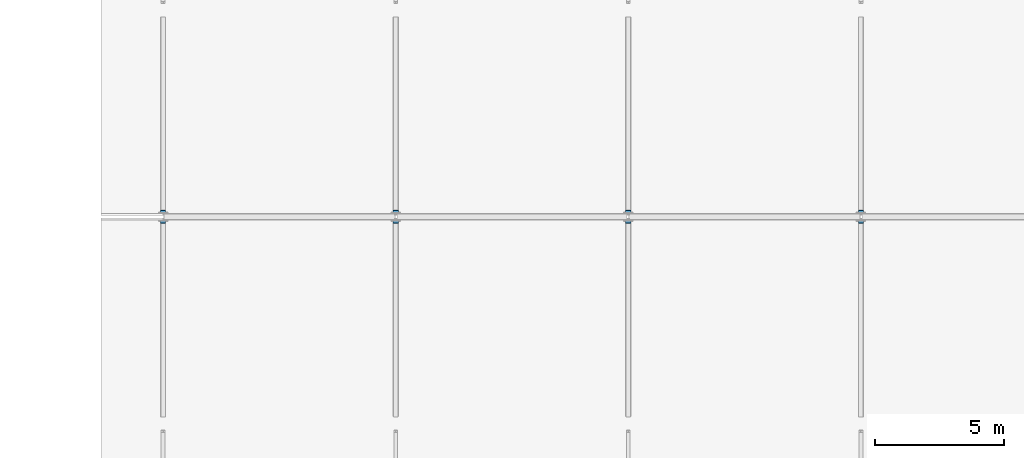
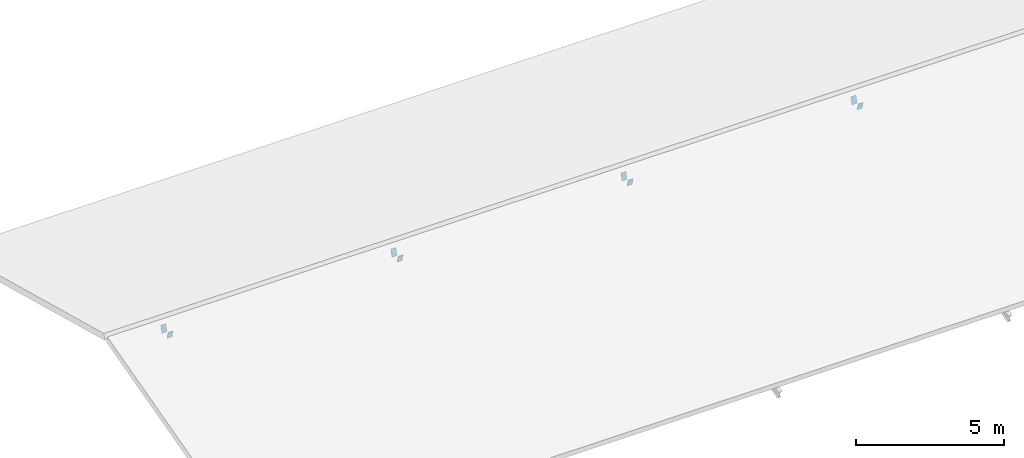
# One storey, part 65 of 71: 8 discrete accessories.
"""IFC4 building model written with IfcOpenShell, lengths in metres."""

from ifc_helpers import new_model, si_unit, derived_unit, direction, frame, origin, origin_2d, place, context, subcontext, project, spatial, rectangle, extrude, material, type_object, element, save


model = new_model("IFC4")

# Units and contexts
model_context = context("Model", 3, precision=1e-05, world=origin(), true_north=direction((0.0, 1.0)))
body_context = subcontext(model_context, "Body", "Model", "MODEL_VIEW")
ifc_project = project(units=[si_unit("LENGTHUNIT", "METRE"), si_unit("AREAUNIT", "SQUARE_METRE"), si_unit("VOLUMEUNIT", "CUBIC_METRE"), si_unit("PLANEANGLEUNIT", "RADIAN"), si_unit("MASSUNIT", "GRAM", prefix="KILO"), derived_unit("THERMALTRANSMITTANCEUNIT", [(si_unit("MASSUNIT", "GRAM", prefix="KILO"), 1), (si_unit("TIMEUNIT", "SECOND"), -3), (si_unit("THERMODYNAMICTEMPERATUREUNIT", "KELVIN"), -1)])], contexts=[model_context])

# Site, building, storey
site_placement = place(None, origin())
site = spatial("IfcSite", under=ifc_project, at=site_placement, CompositionType="ELEMENT")
building_placement = place(site_placement, origin())
building = spatial("IfcBuilding", under=site, at=building_placement, Name="Zhenchuan Archway Interchange", CompositionType="ELEMENT")
storey_placement = place(building_placement, frame((0.0, 0.0, 18.60009765625)))
storey = spatial("IfcBuildingStorey", under=building, at=storey_placement, Name="L04", CompositionType="ELEMENT", Elevation=18.60009765625)

# Discrete accessories
ifc_material = material(Name="Steel Q355", Category="steel")
discrete_accessory_type = type_object("IfcDiscreteAccessoryType", Name="CAP_MB_RHS300", PredefinedType="USERDEFINED", material=ifc_material)
for number, where, z_axis, x_axis, name in (
    (1, (108.0, 95.780029296875, 1.85986328125), (0.0, 0.964763821238, 0.263117405792), (-1.0, 0.0, 0.0), "End plate at the end of Courtyard N-arm rafter X108-1"),
    (2, (108.0, 96.19580078125, 1.866455078125), (0.0, 0.964763821238, -0.263117405792), (-1.0, 0.0, 0.0), "End plate at the start of Courtyard N-arm rafter X108-2"),
    (3, (117.0, 95.780029296875, 1.85986328125), (0.0, 0.964763821238, 0.263117405792), (-1.0, 0.0, 0.0), "End plate at the end of Courtyard N-arm rafter X117-1"),
    (4, (117.0, 96.19580078125, 1.866455078125), (0.0, 0.964763821238, -0.263117405792), (-1.0, 0.0, 0.0), "End plate at the start of Courtyard N-arm rafter X117-2"),
    (5, (126.0, 95.780029296875, 1.85986328125), (0.0, 0.964763821238, 0.263117405792), (-1.0, 0.0, 0.0), "End plate at the end of Courtyard N-arm rafter X126-1"),
    (6, (126.0, 96.19580078125, 1.866455078125), (0.0, 0.964763821238, -0.263117405792), (-1.0, 0.0, 0.0), "End plate at the start of Courtyard N-arm rafter X126-2"),
    (7, (135.0, 95.780029296875, 1.85986328125), (0.0, 0.964763821238, 0.263117405792), (-1.0, 0.0, 0.0), "End plate at the end of Courtyard N-arm rafter X135-1"),
    (8, (135.0, 96.19580078125, 1.866455078125), (0.0, 0.964763821238, -0.263117405792), (-1.0, 0.0, 0.0), "End plate at the start of Courtyard N-arm rafter X135-2"),
):
    element("IfcDiscreteAccessory", number, at=place(storey_placement, frame(where, z_axis=z_axis, x_axis=x_axis)), inside=storey, type_object=discrete_accessory_type, Name=name, ObjectType="END PLATE", PredefinedType="USERDEFINED", context=body_context, shape_type="SweptSolid", body=[
        extrude(rectangle(XDim=0.199951171875, YDim=0.300048828125, at=origin_2d()), origin(), (0.0, 0.0, 1.0), 0.025146484375),
    ])

save(model, "model.ifc")
